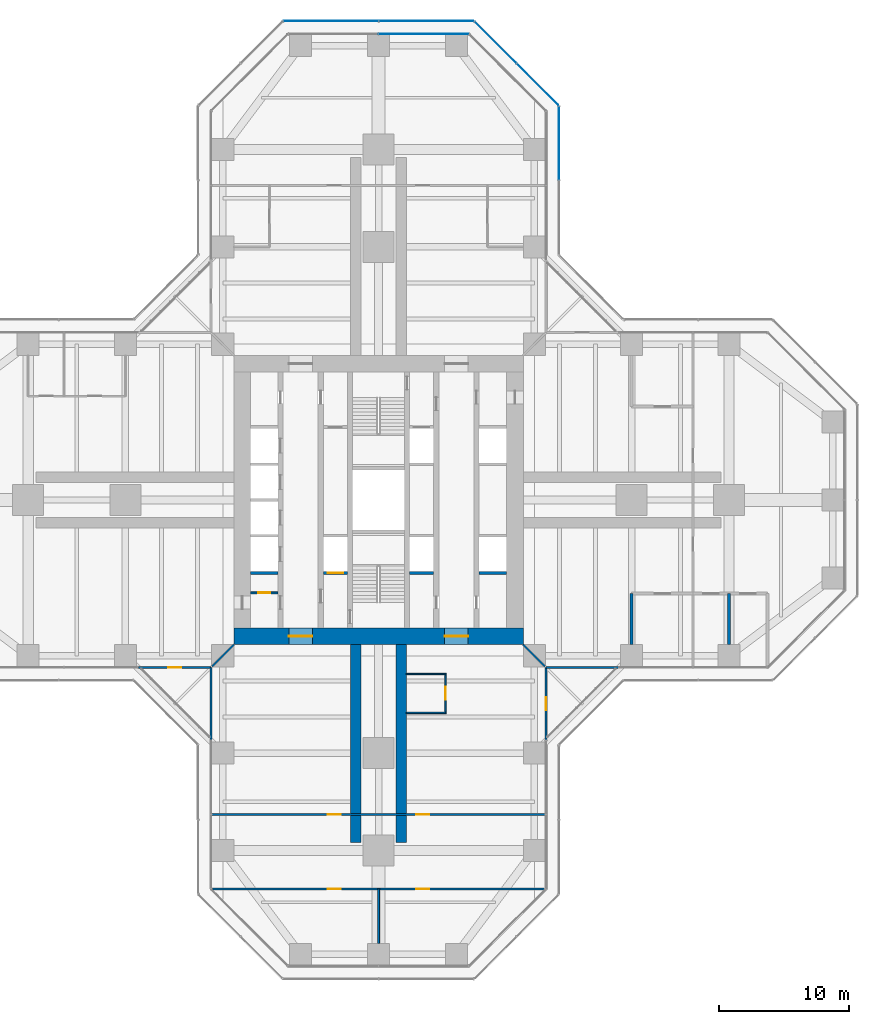
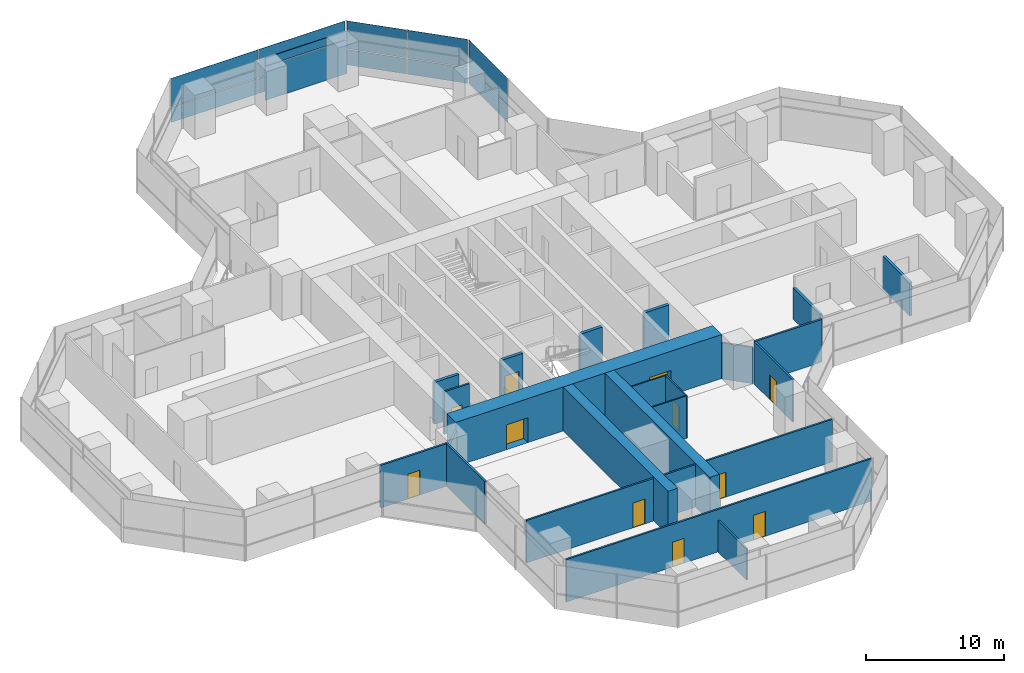
# One storey, part 17 of 22: 22 walls, 12 plates, 11 doors, 11 openings, 4 elements without a shape of their own.
"""IFC4 building model written with IfcOpenShell, lengths in metres."""

from ifc_helpers import new_model, si_unit, direction, frame, frame_2d, origin, origin_2d, place, context, subcontext, project, spatial, rectangle, extrude, material, layer, layer_set, type_object, element, fill, aggregate, save


model = new_model("IFC4")

# Units and contexts
model_context = context("Model", 3, precision=1e-05, world=origin(), true_north=direction((0.0, 1.0)))
body_context = subcontext(model_context, "Body", "Model", "MODEL_VIEW")
ifc_project = project(units=[si_unit("LENGTHUNIT", "METRE"), si_unit("AREAUNIT", "SQUARE_METRE"), si_unit("VOLUMEUNIT", "CUBIC_METRE"), si_unit("PLANEANGLEUNIT", "RADIAN"), si_unit("MASSUNIT", "GRAM", prefix="KILO")], contexts=[model_context])

# Site, building, storey
site_placement = place(None, origin())
site = spatial("IfcSite", under=ifc_project, at=site_placement, CompositionType="ELEMENT")
building_placement = place(site_placement, origin())
building = spatial("IfcBuilding", under=site, at=building_placement, Name="Mizan Broadcast Tower", CompositionType="ELEMENT")
storey_placement = place(building_placement, frame((0.0, 0.0, 78.60009765625)))
storey = spatial("IfcBuildingStorey", under=building, at=storey_placement, Name="L16", CompositionType="ELEMENT", Elevation=78.60009765625)

# Curtain wall, plates
ifc_material_1 = material(Name="Aluminium framed glazing", Category="aluminium")
curtain_wall_type_1 = type_object("IfcCurtainWallType", Name="INNER SKIN LOW ZONE", PredefinedType="USERDEFINED", material=ifc_material_1)
curtain_wall_1_placement = place(storey_placement, origin())
curtain_wall_1 = element("IfcCurtainWall", 1, at=curtain_wall_1_placement, inside=storey, type_object=curtain_wall_type_1, Name="Inner skin low zone L16 N end", ObjectType="INNER SKIN LOW ZONE", PredefinedType="USERDEFINED")
ifc_material_2 = material(Name="Double glazing, clear low-e", Category="glass")
ifc_layer_1 = layer(ifc_material_2, 0.028076171875)
ifc_layer_set_1 = layer_set([ifc_layer_1], Name="Double glazing, clear low-e")
plate_type_1 = type_object("IfcPlateType", Name="INNER SKIN GLAZING UNIT", PredefinedType="CURTAIN_PANEL", material=ifc_layer_set_1)
plate_1_placement = place(storey_placement, frame((3.46435546875, 35.89990234375, 0.0), z_axis=(0.0, 0.0, 1.0), x_axis=(-1.0, 0.0, 0.0)))
plate_1 = element("IfcPlate", 2, at=plate_1_placement, type_object=plate_type_1, Name="Inner skin low zone L16 N end panel 1.1", PredefinedType="CURTAIN_PANEL", context=body_context, shape_type="SweptSolid", body=[
    extrude(rectangle(XDim=6.86865234375, YDim=0.028076171875, at=origin_2d()), origin(), (0.0, 0.0, 1.0), 3.0),
])
ifc_material_3 = material(Name="Insulated aluminium spandrel panel, pale anodised", Category="aluminium")
ifc_layer_2 = layer(ifc_material_3, 0.050048828125)
ifc_layer_set_2 = layer_set([ifc_layer_2], Name="Insulated aluminium spandrel panel, pale anodised")
plate_type_2 = type_object("IfcPlateType", Name="INNER SKIN SPANDREL PANEL", PredefinedType="CURTAIN_PANEL", material=ifc_layer_set_2)
plate_2_placement = place(storey_placement, frame((3.46435546875, 35.89990234375, 3.059814453125), z_axis=(0.0, 0.0, 1.0), x_axis=(-1.0, 0.0, 0.0)))
plate_2 = element("IfcPlate", 3, at=plate_2_placement, type_object=plate_type_2, Name="Inner skin low zone L16 N end panel 1.2", PredefinedType="CURTAIN_PANEL", context=body_context, shape_type="SweptSolid", body=[
    extrude(rectangle(XDim=6.86865234375, YDim=0.050048828125, at=origin_2d()), origin(), (0.0, 0.0, 1.0), 0.7099609375),
])
aggregate(curtain_wall_1, [plate_1, plate_2])

ifc_material_4 = material(Name="Aluminium framed glazing", Category="aluminium")
curtain_wall_type_2 = type_object("IfcCurtainWallType", Name="OUTER SKIN", PredefinedType="USERDEFINED", material=ifc_material_4)
curtain_wall_2_placement = place(storey_placement, origin())
curtain_wall_2 = element("IfcCurtainWall", 4, at=curtain_wall_2_placement, inside=storey, type_object=curtain_wall_type_2, Name="Outer skin L16 N chamfer", ObjectType="OUTER SKIN", PredefinedType="USERDEFINED")
ifc_material_5 = material(Name="Laminated clear glass", Category="glass")
ifc_layer_3 = layer(ifc_material_5, 0.02001953125)
ifc_layer_set_3 = layer_set([ifc_layer_3], Name="Laminated clear glass")
plate_type_3 = type_object("IfcPlateType", Name="OUTER SKIN CLEAR GLASS", PredefinedType="CURTAIN_PANEL", material=ifc_layer_set_3)
plate_3_placement = place(storey_placement, frame((12.254150390625, 32.018798828125, -0.000244140625), z_axis=(0.0, 0.0, 1.0), x_axis=(-0.707106781187, 0.707106781187, 0.0)))
plate_3 = element("IfcPlate", 5, at=plate_3_placement, type_object=plate_type_3, Name="Outer skin L16 N chamfer panel 1.1", PredefinedType="CURTAIN_PANEL", context=body_context, shape_type="SweptSolid", body=[
    extrude(rectangle(XDim=4.495361328125, YDim=0.02001953125, at=origin_2d()), origin(), (0.0, 0.0, 1.0), 1.3701171875),
])
plate_4_placement = place(storey_placement, frame((12.254150390625, 32.018798828125, 1.4296875), z_axis=(0.0, 0.0, 1.0), x_axis=(-0.707106781187, 0.707106781187, 0.0)))
plate_4 = element("IfcPlate", 6, at=plate_4_placement, type_object=plate_type_3, Name="Outer skin L16 N chamfer panel 1.2", PredefinedType="CURTAIN_PANEL", context=body_context, shape_type="SweptSolid", body=[
    extrude(rectangle(XDim=4.495361328125, YDim=0.02001953125, at=origin_2d()), origin(), (0.0, 0.0, 1.0), 2.469970703125),
])

curtain_wall_3_placement = place(storey_placement, origin())
curtain_wall_3 = element("IfcCurtainWall", 7, at=curtain_wall_3_placement, inside=storey, type_object=curtain_wall_type_2, Name="Outer skin L16 N end", ObjectType="OUTER SKIN", PredefinedType="USERDEFINED")
plate_5_placement = place(storey_placement, frame((3.66650390625, 36.89990234375, -0.000244140625), z_axis=(0.0, 0.0, 1.0), x_axis=(-1.0, 0.0, 0.0)))
plate_5 = element("IfcPlate", 8, at=plate_5_placement, type_object=plate_type_3, Name="Outer skin L16 N end panel 1.1", PredefinedType="CURTAIN_PANEL", context=body_context, shape_type="SweptSolid", body=[
    extrude(rectangle(XDim=7.252685546875, YDim=0.02001953125, at=origin_2d()), origin(), (0.0, 0.0, 1.0), 1.3701171875),
])
plate_6_placement = place(storey_placement, frame((3.66650390625, 36.89990234375, 1.4296875), z_axis=(0.0, 0.0, 1.0), x_axis=(-1.0, 0.0, 0.0)))
plate_6 = element("IfcPlate", 9, at=plate_6_placement, type_object=plate_type_3, Name="Outer skin L16 N end panel 1.2", PredefinedType="CURTAIN_PANEL", context=body_context, shape_type="SweptSolid", body=[
    extrude(rectangle(XDim=7.252685546875, YDim=0.02001953125, at=origin_2d()), origin(), (0.0, 0.0, 1.0), 2.469970703125),
])
plate_7_placement = place(storey_placement, frame((-3.66650390625, 36.89990234375, -0.000244140625), z_axis=(0.0, 0.0, 1.0), x_axis=(-1.0, 0.0, 0.0)))
plate_7 = element("IfcPlate", 10, at=plate_7_placement, type_object=plate_type_3, Name="Outer skin L16 N end panel 2.1", PredefinedType="CURTAIN_PANEL", context=body_context, shape_type="SweptSolid", body=[
    extrude(rectangle(XDim=7.252685546875, YDim=0.02001953125, at=origin_2d()), origin(), (0.0, 0.0, 1.0), 1.3701171875),
])
plate_8_placement = place(storey_placement, frame((-3.66650390625, 36.89990234375, 1.4296875), z_axis=(0.0, 0.0, 1.0), x_axis=(-1.0, 0.0, 0.0)))
plate_8 = element("IfcPlate", 11, at=plate_8_placement, type_object=plate_type_3, Name="Outer skin L16 N end panel 2.2", PredefinedType="CURTAIN_PANEL", context=body_context, shape_type="SweptSolid", body=[
    extrude(rectangle(XDim=7.252685546875, YDim=0.02001953125, at=origin_2d()), origin(), (0.0, 0.0, 1.0), 2.469970703125),
])
aggregate(curtain_wall_3, [plate_5, plate_6, plate_7, plate_8])

curtain_wall_4_placement = place(storey_placement, origin())
curtain_wall_4 = element("IfcCurtainWall", 12, at=curtain_wall_4_placement, inside=storey, type_object=curtain_wall_type_2, Name="Outer skin L16 N side", ObjectType="OUTER SKIN", PredefinedType="USERDEFINED")
ifc_material_6 = material(Name="Perforated aluminium, pale anodised", Category="aluminium")
ifc_layer_4 = layer(ifc_material_6, 0.011962890625)
ifc_layer_set_4 = layer_set([ifc_layer_4], Name="Perforated aluminium, pale anodised")
plate_type_4 = type_object("IfcPlateType", Name="OUTER SKIN PERFORATED SCREEN", PredefinedType="USERDEFINED", material=ifc_layer_set_4)
plate_9_placement = place(storey_placement, frame((13.89990234375, 27.477783203125, -0.000244140625), z_axis=(0.0, 0.0, 1.0), x_axis=(0.0, 1.0, 0.0)))
plate_9 = element("IfcPlate", 13, at=plate_9_placement, type_object=plate_type_4, Name="Outer skin L16 N side panel 2.1", ObjectType="SCREEN", PredefinedType="USERDEFINED", context=body_context, shape_type="SweptSolid", body=[
    extrude(rectangle(XDim=5.6298828125, YDim=0.011962890625, at=origin_2d()), origin(), (0.0, 0.0, 1.0), 1.3701171875),
])
plate_10_placement = place(storey_placement, frame((13.89990234375, 27.477783203125, 1.4296875), z_axis=(0.0, 0.0, 1.0), x_axis=(0.0, 1.0, 0.0)))
plate_10 = element("IfcPlate", 14, at=plate_10_placement, type_object=plate_type_4, Name="Outer skin L16 N side panel 2.2", ObjectType="SCREEN", PredefinedType="USERDEFINED", context=body_context, shape_type="SweptSolid", body=[
    extrude(rectangle(XDim=5.6298828125, YDim=0.011962890625, at=origin_2d()), origin(), (0.0, 0.0, 1.0), 2.469970703125),
])
aggregate(curtain_wall_4, [plate_9, plate_10])

# Plate
plate_11_placement = place(storey_placement, frame((9.018798828125, 35.254150390625, -0.000244140625), z_axis=(0.0, 0.0, 1.0), x_axis=(-0.707106781187, 0.707106781187, 0.0)))
plate_11 = element("IfcPlate", 15, at=plate_11_placement, type_object=plate_type_4, Name="Outer skin L16 N chamfer panel 2.1", ObjectType="SCREEN", PredefinedType="USERDEFINED", context=body_context, shape_type="SweptSolid", body=[
    extrude(rectangle(XDim=4.495361328125, YDim=0.011962890625, at=origin_2d()), origin(), (0.0, 0.0, 1.0), 1.3701171875),
])

plate_12_placement = place(storey_placement, frame((9.018798828125, 35.254150390625, 1.4296875), z_axis=(0.0, 0.0, 1.0), x_axis=(-0.707106781187, 0.707106781187, 0.0)))
plate_12 = element("IfcPlate", 16, at=plate_12_placement, type_object=plate_type_4, Name="Outer skin L16 N chamfer panel 2.2", ObjectType="SCREEN", PredefinedType="USERDEFINED", context=body_context, shape_type="SweptSolid", body=[
    extrude(rectangle(XDim=4.495361328125, YDim=0.011962890625, at=origin_2d()), origin(), (0.0, 0.0, 1.0), 2.469970703125),
])

aggregate(curtain_wall_2, [plate_3, plate_4, plate_11, plate_12])

# Wall, opening, door
ifc_material_7 = material(Name="Concrete blockwork", Category="masonry")
ifc_layer_5 = layer(ifc_material_7, 0.14990234375)
ifc_layer_set_5 = layer_set([ifc_layer_5], Name="Concrete blockwork")
wall_type_1 = type_object("IfcWallType", Name="CORE PARTITION 150", PredefinedType="SOLIDWALL", material=ifc_layer_set_5)
wall_1_placement = place(storey_placement, frame((-9.85009765625, -7.14990234375, 0.0), z_axis=(0.0, 0.0, 1.0), x_axis=(1.0, 0.0, 0.0)))
wall_1 = element("IfcWall", 17, at=wall_1_placement, inside=storey, type_object=wall_type_1, Name="Core partition CORE/XPW", PredefinedType="SOLIDWALL", context=body_context, shape_type="SweptSolid", body=[
    extrude(rectangle(XDim=2.10009765625, YDim=0.14990234375, at=frame_2d((1.050048828125, 0.0))), origin(), (0.0, 0.0, 1.0), 3.77001953125),
])
opening_1_placement = place(wall_1_placement, frame((0.60009765625, 0.0, 0.0)))
opening_1 = element("IfcOpeningElement", 18, at=opening_1_placement, cuts=wall_1, Name="Opening D09F", PredefinedType="OPENING", context=body_context, shape_type="SweptSolid", body=[
    extrude(rectangle(XDim=0.89990234375, YDim=2.10009765625, at=frame_2d((0.449951171875, 1.050048828125))), frame((0.0, 0.0849609375, 0.0), z_axis=(0.0, -1.0, 0.0), x_axis=(1.0, 0.0, 0.0)), (0.0, 0.0, 1.0), 0.169921875),
])
ifc_material_8 = material(Name="Steel door leaf in steel frame", Category="steel")
door_type_1 = type_object("IfcDoorType", Name="CORE ROOM DOOR 900 FD90", OperationType="SINGLE_SWING_LEFT", PredefinedType="DOOR", material=ifc_material_8)
door_1_placement = place(opening_1_placement, origin())
door_1 = element("IfcDoor", 19, at=door_1_placement, inside=storey, type_object=door_type_1, Name="Comms cupboard door", OperationType="SINGLE_SWING_RIGHT", OverallHeight=2.10009765625, OverallWidth=0.89990234375, PredefinedType="DOOR", context=body_context, shape_type="SweptSolid", body=[
    extrude(rectangle(XDim=0.89990234375, YDim=2.10009765625, at=frame_2d((0.449951171875, 1.050048828125))), frame((0.0, 0.02490234375, 0.0), z_axis=(0.0, -1.0, 0.0), x_axis=(1.0, 0.0, 0.0)), (0.0, 0.0, 1.0), 0.050048828125),
])
fill(opening_1, door_1)

# Wall, openings, doors
ifc_material_9 = material(Name="Concrete C70/85", Category="concrete")
ifc_layer_6 = layer(ifc_material_9, 1.300048828125)
ifc_layer_set_6 = layer_set([ifc_layer_6], Name="Concrete C70/85")
wall_type_2 = type_object("IfcWallType", Name="CORE WALL 1300", PredefinedType="SHEAR", material=ifc_layer_set_6)
wall_2_placement = place(storey_placement, frame((11.14990234375, -10.5, 0.0), z_axis=(0.0, 0.0, 1.0), x_axis=(-1.0, 0.0, 0.0)))
wall_2 = element("IfcWall", 20, at=wall_2_placement, inside=storey, type_object=wall_type_2, Name="Core wall S L16", PredefinedType="SHEAR", context=body_context, shape_type="SweptSolid", body=[
    extrude(rectangle(XDim=22.2998046875, YDim=1.300048828125, at=frame_2d((11.14990234375, 0.0))), origin(), (0.0, 0.0, 1.0), 3.89990234375),
])
opening_2_placement = place(wall_2_placement, frame((16.25, 0.0, 0.0)))
opening_2 = element("IfcOpeningElement", 21, at=opening_2_placement, cuts=wall_2, Name="Opening D18F", PredefinedType="OPENING", context=body_context, shape_type="SweptSolid", body=[
    extrude(rectangle(XDim=1.800048828125, YDim=2.199951171875, at=frame_2d((0.89990234375, 1.10009765625))), frame((0.0, 0.659912109375, 0.0), z_axis=(0.0, -1.0, 0.0), x_axis=(1.0, 0.0, 0.0)), (0.0, 0.0, 1.0), 1.320068359375),
])
opening_3_placement = place(wall_2_placement, frame((4.25, 0.0, 0.0)))
opening_3 = element("IfcOpeningElement", 22, at=opening_3_placement, cuts=wall_2, Name="Opening D18F", PredefinedType="OPENING", context=body_context, shape_type="SweptSolid", body=[
    extrude(rectangle(XDim=1.800048828125, YDim=2.199951171875, at=frame_2d((0.89990234375, 1.10009765625))), frame((0.0, 0.659912109375, 0.0), z_axis=(0.0, -1.0, 0.0), x_axis=(1.0, 0.0, 0.0)), (0.0, 0.0, 1.0), 1.320068359375),
])
ifc_material_10 = material(Name="Steel door leaf in steel frame", Category="steel")
door_type_2 = type_object("IfcDoorType", Name="LOBBY DOUBLE DOOR 1800 FD90", OperationType="DOUBLE_DOOR_DOUBLE_SWING", PredefinedType="DOOR", material=ifc_material_10)
door_2_placement = place(opening_2_placement, origin())
door_2 = element("IfcDoor", 23, at=door_2_placement, inside=storey, type_object=door_type_2, Name="West lift lobby south door", OperationType="DOUBLE_DOOR_DOUBLE_SWING", OverallHeight=2.199951171875, OverallWidth=1.800048828125, PredefinedType="DOOR", context=body_context, shape_type="SweptSolid", body=[
    extrude(rectangle(XDim=1.800048828125, YDim=2.199951171875, at=frame_2d((0.89990234375, 1.10009765625))), frame((0.0, 0.02490234375, 0.0), z_axis=(0.0, -1.0, 0.0), x_axis=(1.0, 0.0, 0.0)), (0.0, 0.0, 1.0), 0.050048828125),
])
fill(opening_2, door_2)
door_3_placement = place(opening_3_placement, origin())
door_3 = element("IfcDoor", 24, at=door_3_placement, inside=storey, type_object=door_type_2, Name="East lift lobby south door", OperationType="DOUBLE_DOOR_DOUBLE_SWING", OverallHeight=2.199951171875, OverallWidth=1.800048828125, PredefinedType="DOOR", context=body_context, shape_type="SweptSolid", body=[
    extrude(rectangle(XDim=1.800048828125, YDim=2.199951171875, at=frame_2d((0.89990234375, 1.10009765625))), frame((0.0, 0.02490234375, 0.0), z_axis=(0.0, -1.0, 0.0), x_axis=(1.0, 0.0, 0.0)), (0.0, 0.0, 1.0), 0.050048828125),
])
fill(opening_3, door_3)

# Wall
ifc_material_11 = material(Name="Aluminium framed glazed screen", Category="aluminium")
ifc_layer_7 = layer(ifc_material_11, 0.159912109375)
ifc_layer_set_7 = layer_set([ifc_layer_7], Name="Aluminium framed glazed screen")
wall_type_3 = type_object("IfcWallType", Name="GLAZED SCREEN WALL 160", PredefinedType="SOLIDWALL", material=ifc_layer_set_7)
wall_3_placement = place(storey_placement, frame((12.89990234375, -12.89990234375, 0.0), z_axis=(0.0, 0.0, 1.0), x_axis=(1.0, 0.0, 0.0)))
element("IfcWall", 25, at=wall_3_placement, inside=storey, type_object=wall_type_3, Name="Winter garden screen L16 E", PredefinedType="SOLIDWALL", context=body_context, shape_type="SweptSolid", body=[
    extrude(rectangle(XDim=5.60009765625, YDim=0.159912109375, at=frame_2d((2.800048828125, 0.0))), origin(), (0.0, 0.0, 1.0), 3.77001953125),
])

# Wall, opening, door
wall_4_placement = place(storey_placement, frame((-18.5, -12.89990234375, 0.0), z_axis=(0.0, 0.0, 1.0), x_axis=(1.0, 0.0, 0.0)))
wall_4 = element("IfcWall", 26, at=wall_4_placement, inside=storey, type_object=wall_type_3, Name="Winter garden screen L16 W", PredefinedType="SOLIDWALL", context=body_context, shape_type="SweptSolid", body=[
    extrude(rectangle(XDim=5.60009765625, YDim=0.159912109375, at=frame_2d((2.800048828125, 0.0))), origin(), (0.0, 0.0, 1.0), 3.77001953125),
])
opening_4_placement = place(wall_4_placement, frame((2.300048828125, 0.0, 0.0)))
opening_4 = element("IfcOpeningElement", 27, at=opening_4_placement, cuts=wall_4, Name="Opening WGD", PredefinedType="OPENING", context=body_context, shape_type="SweptSolid", body=[
    extrude(rectangle(XDim=1.0, YDim=2.199951171875, at=frame_2d((0.5, 1.10009765625))), frame((0.0, 0.08984375, 0.0), z_axis=(0.0, -1.0, 0.0), x_axis=(1.0, 0.0, 0.0)), (0.0, 0.0, 1.0), 0.179931640625),
])
ifc_material_12 = material(Name="Aluminium framed glazed door", Category="aluminium")
door_type_3 = type_object("IfcDoorType", Name="WINTER GARDEN DOOR 1000 GLAZED", OperationType="SINGLE_SWING_LEFT", PredefinedType="DOOR", material=ifc_material_12)
door_4_placement = place(opening_4_placement, origin())
door_4 = element("IfcDoor", 28, at=door_4_placement, inside=storey, type_object=door_type_3, Name="Winter garden door L16 W", OperationType="SINGLE_SWING_RIGHT", OverallHeight=2.199951171875, OverallWidth=1.0, PredefinedType="DOOR", context=body_context, shape_type="SweptSolid", body=[
    extrude(rectangle(XDim=1.0, YDim=2.199951171875, at=frame_2d((0.5, 1.10009765625))), frame((0.0, 0.02490234375, 0.0), z_axis=(0.0, -1.0, 0.0), x_axis=(1.0, 0.0, 0.0)), (0.0, 0.0, 1.0), 0.050048828125),
])
fill(opening_4, door_4)

# Wall
wall_5_placement = place(storey_placement, frame((-12.89990234375, -12.89990234375, 0.0), z_axis=(0.0, 0.0, 1.0), x_axis=(0.0, -1.0, 0.0)))
element("IfcWall", 29, at=wall_5_placement, inside=storey, type_object=wall_type_3, Name="Winter garden screen L16 S", PredefinedType="SOLIDWALL", context=body_context, shape_type="SweptSolid", body=[
    extrude(rectangle(XDim=5.60009765625, YDim=0.159912109375, at=frame_2d((2.800048828125, 0.0))), origin(), (0.0, 0.0, 1.0), 3.77001953125),
])

# Wall, opening, door
wall_6_placement = place(storey_placement, frame((12.89990234375, -18.5, 0.0), z_axis=(0.0, 0.0, 1.0), x_axis=(0.0, 1.0, 0.0)))
wall_6 = element("IfcWall", 30, at=wall_6_placement, inside=storey, type_object=wall_type_3, Name="Winter garden screen L16 S", PredefinedType="SOLIDWALL", context=body_context, shape_type="SweptSolid", body=[
    extrude(rectangle(XDim=5.60009765625, YDim=0.159912109375, at=frame_2d((2.800048828125, 0.0))), origin(), (0.0, 0.0, 1.0), 3.77001953125),
])
opening_5_placement = place(wall_6_placement, frame((2.300048828125, 0.0, 0.0)))
opening_5 = element("IfcOpeningElement", 31, at=opening_5_placement, cuts=wall_6, Name="Opening WGD", PredefinedType="OPENING", context=body_context, shape_type="SweptSolid", body=[
    extrude(rectangle(XDim=1.0, YDim=2.199951171875, at=frame_2d((0.5, 1.10009765625))), frame((0.0, 0.08984375, 0.0), z_axis=(0.0, -1.0, 0.0), x_axis=(1.0, 0.0, 0.0)), (0.0, 0.0, 1.0), 0.179931640625),
])
door_5_placement = place(opening_5_placement, origin())
door_5 = element("IfcDoor", 32, at=door_5_placement, inside=storey, type_object=door_type_3, Name="Winter garden door L16 S", OperationType="SINGLE_SWING_RIGHT", OverallHeight=2.199951171875, OverallWidth=1.0, PredefinedType="DOOR", context=body_context, shape_type="SweptSolid", body=[
    extrude(rectangle(XDim=1.0, YDim=2.199951171875, at=frame_2d((0.5, 1.10009765625))), frame((0.0, 0.02490234375, 0.0), z_axis=(0.0, -1.0, 0.0), x_axis=(1.0, 0.0, 0.0)), (0.0, 0.0, 1.0), 0.050048828125),
])
fill(opening_5, door_5)

# Wall
ifc_material_13 = material(Name="Concrete blockwork", Category="masonry")
ifc_layer_8 = layer(ifc_material_13, 0.25)
ifc_layer_set_8 = layer_set([ifc_layer_8], Name="Concrete blockwork")
wall_type_4 = type_object("IfcWallType", Name="LOBBY ENCLOSURE WALL 250", PredefinedType="SOLIDWALL", material=ifc_layer_set_8)
wall_7_placement = place(storey_placement, frame((-9.85009765625, -5.625, 0.0), z_axis=(0.0, 0.0, 1.0), x_axis=(1.0, 0.0, 0.0)))
element("IfcWall", 33, at=wall_7_placement, inside=storey, type_object=wall_type_4, Name="Lobby enclosure wall CORE/BW1S", PredefinedType="SOLIDWALL", context=body_context, shape_type="SweptSolid", body=[
    extrude(rectangle(XDim=2.10009765625, YDim=0.25, at=frame_2d((1.050048828125, 0.0))), origin(), (0.0, 0.0, 1.0), 3.699951171875),
])

# Wall, opening, door
wall_8_placement = place(storey_placement, frame((-4.25, -5.625, 0.0), z_axis=(0.0, 0.0, 1.0), x_axis=(1.0, 0.0, 0.0)))
wall_8 = element("IfcWall", 34, at=wall_8_placement, inside=storey, type_object=wall_type_4, Name="Lobby enclosure wall CORE/BW2S", PredefinedType="SOLIDWALL", context=body_context, shape_type="SweptSolid", body=[
    extrude(rectangle(XDim=1.85009765625, YDim=0.25, at=frame_2d((0.925048828125, 0.0))), origin(), (0.0, 0.0, 1.0), 3.699951171875),
])
opening_6_placement = place(wall_8_placement, frame((0.324951171875, 0.0, 0.0)))
opening_6 = element("IfcOpeningElement", 35, at=opening_6_placement, cuts=wall_8, Name="Opening LDF", PredefinedType="OPENING", context=body_context, shape_type="SweptSolid", body=[
    extrude(rectangle(XDim=1.199951171875, YDim=2.199951171875, at=frame_2d((0.60009765625, 1.10009765625))), frame((0.0, 0.135009765625, 0.0), z_axis=(0.0, -1.0, 0.0), x_axis=(1.0, 0.0, 0.0)), (0.0, 0.0, 1.0), 0.27001953125),
])
ifc_material_14 = material(Name="Steel door leaf in steel frame", Category="steel")
door_type_4 = type_object("IfcDoorType", Name="FIREFIGHTING LIFT LANDING DOOR 1200", OperationType="SLIDING_TO_LEFT", PredefinedType="DOOR", material=ifc_material_14)
door_6_placement = place(opening_6_placement, origin())
door_6 = element("IfcDoor", 36, at=door_6_placement, inside=storey, type_object=door_type_4, Name="Landing door FF1", OperationType="SLIDING_TO_LEFT", OverallHeight=2.199951171875, OverallWidth=1.199951171875, PredefinedType="DOOR", context=body_context, shape_type="SweptSolid", body=[
    extrude(rectangle(XDim=1.199951171875, YDim=2.199951171875, at=frame_2d((0.60009765625, 1.10009765625))), frame((0.0, 0.02490234375, 0.0), z_axis=(0.0, -1.0, 0.0), x_axis=(1.0, 0.0, 0.0)), (0.0, 0.0, 1.0), 0.050048828125),
])
fill(opening_6, door_6)

# Walls
wall_9_placement = place(storey_placement, frame((2.39990234375, -5.625, 0.0), z_axis=(0.0, 0.0, 1.0), x_axis=(1.0, 0.0, 0.0)))
element("IfcWall", 37, at=wall_9_placement, inside=storey, type_object=wall_type_4, Name="Lobby enclosure wall CORE/BE2S", PredefinedType="SOLIDWALL", context=body_context, shape_type="SweptSolid", body=[
    extrude(rectangle(XDim=1.85009765625, YDim=0.25, at=frame_2d((0.925048828125, 0.0))), origin(), (0.0, 0.0, 1.0), 3.699951171875),
])
wall_10_placement = place(storey_placement, frame((7.75, -5.625, 0.0), z_axis=(0.0, 0.0, 1.0), x_axis=(1.0, 0.0, 0.0)))
element("IfcWall", 38, at=wall_10_placement, inside=storey, type_object=wall_type_4, Name="Lobby enclosure wall CORE/BE1S", PredefinedType="SOLIDWALL", context=body_context, shape_type="SweptSolid", body=[
    extrude(rectangle(XDim=2.10009765625, YDim=0.25, at=frame_2d((1.050048828125, 0.0))), origin(), (0.0, 0.0, 1.0), 3.699951171875),
])

# Wall, openings, doors
ifc_material_15 = material(Name="Gypsum board on steel studs", Category="steel")
ifc_layer_9 = layer(ifc_material_15, 0.14990234375)
ifc_layer_set_9 = layer_set([ifc_layer_9], Name="Gypsum board on steel studs")
wall_type_5 = type_object("IfcWallType", Name="PARTITION 150", PredefinedType="PARTITIONING", material=ifc_layer_set_9)
wall_11_placement = place(storey_placement, frame((-12.820068359375, -24.22900390625, 0.0), z_axis=(0.0, 0.0, 1.0), x_axis=(1.0, 0.0, 0.0)))
wall_11 = element("IfcWall", 39, at=wall_11_placement, inside=storey, type_object=wall_type_5, Name="Partition PT/SX1", PredefinedType="PARTITIONING", context=body_context, shape_type="SweptSolid", body=[
    extrude(rectangle(XDim=25.64013671875, YDim=0.14990234375, at=frame_2d((12.820068359375, 0.0))), origin(), (0.0, 0.0, 1.0), 3.77001953125),
])
opening_7_placement = place(wall_11_placement, frame((15.719970703125, 0.0, 0.0)))
opening_7 = element("IfcOpeningElement", 40, at=opening_7_placement, cuts=wall_11, Name="Opening D10", PredefinedType="OPENING", context=body_context, shape_type="SweptSolid", body=[
    extrude(rectangle(XDim=1.0, YDim=2.199951171875, at=frame_2d((0.5, 1.10009765625))), frame((0.0, 0.0849609375, 0.0), z_axis=(0.0, -1.0, 0.0), x_axis=(1.0, 0.0, 0.0)), (0.0, 0.0, 1.0), 0.169921875),
])
opening_8_placement = place(wall_11_placement, frame((8.919921875, 0.0, 0.0)))
opening_8 = element("IfcOpeningElement", 41, at=opening_8_placement, cuts=wall_11, Name="Opening D10", PredefinedType="OPENING", context=body_context, shape_type="SweptSolid", body=[
    extrude(rectangle(XDim=1.0, YDim=2.199951171875, at=frame_2d((0.5, 1.10009765625))), frame((0.0, 0.0849609375, 0.0), z_axis=(0.0, -1.0, 0.0), x_axis=(1.0, 0.0, 0.0)), (0.0, 0.0, 1.0), 0.169921875),
])
ifc_material_16 = material(Name="Timber door leaf in aluminium frame", Category="wood")
door_type_5 = type_object("IfcDoorType", Name="ROOM DOOR 1000", OperationType="SINGLE_SWING_LEFT", PredefinedType="DOOR", material=ifc_material_16)
door_7_placement = place(opening_7_placement, origin())
door_7 = element("IfcDoor", 42, at=door_7_placement, inside=storey, type_object=door_type_5, Name="Open office door", OperationType="SINGLE_SWING_RIGHT", OverallHeight=2.199951171875, OverallWidth=1.0, PredefinedType="DOOR", context=body_context, shape_type="SweptSolid", body=[
    extrude(rectangle(XDim=1.0, YDim=2.199951171875, at=frame_2d((0.5, 1.10009765625))), frame((0.0, 0.02490234375, 0.0), z_axis=(0.0, -1.0, 0.0), x_axis=(1.0, 0.0, 0.0)), (0.0, 0.0, 1.0), 0.050048828125),
])
fill(opening_7, door_7)
door_8_placement = place(opening_8_placement, origin())
door_8 = element("IfcDoor", 43, at=door_8_placement, inside=storey, type_object=door_type_5, Name="Open office door", OperationType="SINGLE_SWING_LEFT", OverallHeight=2.199951171875, OverallWidth=1.0, PredefinedType="DOOR", context=body_context, shape_type="SweptSolid", body=[
    extrude(rectangle(XDim=1.0, YDim=2.199951171875, at=frame_2d((0.5, 1.10009765625))), frame((0.0, 0.02490234375, 0.0), z_axis=(0.0, -1.0, 0.0), x_axis=(1.0, 0.0, 0.0)), (0.0, 0.0, 1.0), 0.050048828125),
])
fill(opening_8, door_8)

wall_12_placement = place(storey_placement, frame((-12.786376953125, -29.958984375, 0.0), z_axis=(0.0, 0.0, 1.0), x_axis=(1.0, 0.0, 0.0)))
wall_12 = element("IfcWall", 44, at=wall_12_placement, inside=storey, type_object=wall_type_5, Name="Partition PT/SX2", PredefinedType="PARTITIONING", context=body_context, shape_type="SweptSolid", body=[
    extrude(rectangle(XDim=25.57275390625, YDim=0.14990234375, at=frame_2d((12.786376953125, 0.0))), origin(), (0.0, 0.0, 1.0), 3.77001953125),
])
opening_9_placement = place(wall_12_placement, frame((15.6865234375, 0.0, 0.0)))
opening_9 = element("IfcOpeningElement", 45, at=opening_9_placement, cuts=wall_12, Name="Opening D10", PredefinedType="OPENING", context=body_context, shape_type="SweptSolid", body=[
    extrude(rectangle(XDim=1.0, YDim=2.199951171875, at=frame_2d((0.5, 1.10009765625))), frame((0.0, 0.0849609375, 0.0), z_axis=(0.0, -1.0, 0.0), x_axis=(1.0, 0.0, 0.0)), (0.0, 0.0, 1.0), 0.169921875),
])
opening_10_placement = place(wall_12_placement, frame((8.886474609375, 0.0, 0.0)))
opening_10 = element("IfcOpeningElement", 46, at=opening_10_placement, cuts=wall_12, Name="Opening D10", PredefinedType="OPENING", context=body_context, shape_type="SweptSolid", body=[
    extrude(rectangle(XDim=1.0, YDim=2.199951171875, at=frame_2d((0.5, 1.10009765625))), frame((0.0, 0.0849609375, 0.0), z_axis=(0.0, -1.0, 0.0), x_axis=(1.0, 0.0, 0.0)), (0.0, 0.0, 1.0), 0.169921875),
])
door_9_placement = place(opening_9_placement, origin())
door_9 = element("IfcDoor", 47, at=door_9_placement, inside=storey, type_object=door_type_5, Name="Open office door", OperationType="SINGLE_SWING_RIGHT", OverallHeight=2.199951171875, OverallWidth=1.0, PredefinedType="DOOR", context=body_context, shape_type="SweptSolid", body=[
    extrude(rectangle(XDim=1.0, YDim=2.199951171875, at=frame_2d((0.5, 1.10009765625))), frame((0.0, 0.02490234375, 0.0), z_axis=(0.0, -1.0, 0.0), x_axis=(1.0, 0.0, 0.0)), (0.0, 0.0, 1.0), 0.050048828125),
])
fill(opening_9, door_9)
door_10_placement = place(opening_10_placement, origin())
door_10 = element("IfcDoor", 48, at=door_10_placement, inside=storey, type_object=door_type_5, Name="Open office door", OperationType="SINGLE_SWING_LEFT", OverallHeight=2.199951171875, OverallWidth=1.0, PredefinedType="DOOR", context=body_context, shape_type="SweptSolid", body=[
    extrude(rectangle(XDim=1.0, YDim=2.199951171875, at=frame_2d((0.5, 1.10009765625))), frame((0.0, 0.02490234375, 0.0), z_axis=(0.0, -1.0, 0.0), x_axis=(1.0, 0.0, 0.0)), (0.0, 0.0, 1.0), 0.050048828125),
])
fill(opening_10, door_10)

# Walls
wall_13_placement = place(storey_placement, frame((0.0, -29.958984375, 0.0), z_axis=(0.0, 0.0, 1.0), x_axis=(0.0, -1.0, 0.0)))
element("IfcWall", 49, at=wall_13_placement, inside=storey, type_object=wall_type_5, Name="Partition PT/SES", PredefinedType="PARTITIONING", context=body_context, shape_type="SweptSolid", body=[
    extrude(rectangle(XDim=4.19091796875, YDim=0.14990234375, at=frame_2d((2.095458984375, 0.0))), origin(), (0.0, 0.0, 1.0), 2.77001953125),
])
for number, where, z_axis, x_axis, name in (
    (50, (-11.14990234375, -11.14990234375, 0.0), (0.0, 0.0, 1.0), (-0.707106781187, -0.707106781187, 0.0), "Partition PT/DGWS"),
    (51, (11.14990234375, -11.14990234375, 0.0), (0.0, 0.0, 1.0), (0.707106781187, -0.707106781187, 0.0), "Partition PT/DGES"),
):
    element("IfcWall", number, at=place(storey_placement, frame(where, z_axis=z_axis, x_axis=x_axis)), inside=storey, type_object=wall_type_5, Name=name, PredefinedType="PARTITIONING", context=body_context, shape_type="SweptSolid", body=[
        extrude(rectangle(XDim=2.362060546875, YDim=0.14990234375, at=frame_2d((1.18115234375, 0.0))), origin(), (0.0, 0.0, 1.0), 3.219970703125),
    ])
ifc_material_17 = material(Name="Twin steel stud acoustic partition, four layers of gypsum board", Category="steel")
ifc_layer_10 = layer(ifc_material_17, 0.22509765625)
ifc_layer_set_10 = layer_set([ifc_layer_10], Name="Twin steel stud acoustic partition, four layers of gypsum board")
wall_type_6 = type_object("IfcWallType", Name="PARTITION ACOUSTIC 225", PredefinedType="PARTITIONING", material=ifc_layer_set_10)
wall_14_placement = place(storey_placement, frame((19.5, -7.199951171875, 0.0), z_axis=(0.0, 0.0, 1.0), x_axis=(0.0, -1.0, 0.0)))
element("IfcWall", 52, at=wall_14_placement, inside=storey, type_object=wall_type_6, Name="Acoustic partition PT/EQN1950", PredefinedType="PARTITIONING", context=body_context, shape_type="SweptSolid", body=[
    extrude(rectangle(XDim=3.949951171875, YDim=0.22509765625, at=frame_2d((1.97509765625, 0.0))), origin(), (0.0, 0.0, 1.0), 2.77001953125),
])
wall_15_placement = place(storey_placement, frame((27.0, -7.199951171875, 0.0), z_axis=(0.0, 0.0, 1.0), x_axis=(0.0, -1.0, 0.0)))
element("IfcWall", 53, at=wall_15_placement, inside=storey, type_object=wall_type_6, Name="Acoustic partition PT/EQN2700", PredefinedType="PARTITIONING", context=body_context, shape_type="SweptSolid", body=[
    extrude(rectangle(XDim=3.949951171875, YDim=0.22509765625, at=frame_2d((1.97509765625, 0.0))), origin(), (0.0, 0.0, 1.0), 2.969970703125),
])
ifc_material_18 = material(Name="Glazed aluminium partition on aluminium track", Category="aluminium")
ifc_layer_11 = layer(ifc_material_18, 0.10009765625)
ifc_layer_set_11 = layer_set([ifc_layer_11], Name="Glazed aluminium partition on aluminium track")
wall_type_7 = type_object("IfcWallType", Name="PARTITION GLAZED OFFICE FRONT 100", PredefinedType="PARTITIONING", material=ifc_layer_set_11)
for number, where, z_axis, x_axis, name in (
    (54, (2.14990234375, -13.39990234375, 0.0), (0.0, 0.0, 1.0), (1.0, 0.0, 0.0), "Glazed office front PT/SKP0a"),
    (55, (2.14990234375, -16.39990234375, 0.0), (0.0, 0.0, 1.0), (1.0, 0.0, 0.0), "Glazed office front PT/SKP0b"),
):
    element("IfcWall", number, at=place(storey_placement, frame(where, z_axis=z_axis, x_axis=x_axis)), inside=storey, type_object=wall_type_7, Name=name, PredefinedType="PARTITIONING", context=body_context, shape_type="SweptSolid", body=[
        extrude(rectangle(XDim=3.0, YDim=0.10009765625, at=frame_2d((1.5, 0.0))), origin(), (0.0, 0.0, 1.0), 3.77001953125),
    ])

# Wall, opening, door
wall_16_placement = place(storey_placement, frame((5.14990234375, -13.35009765625, 0.0), z_axis=(0.0, 0.0, 1.0), x_axis=(0.0, -1.0, 0.0)))
wall_16 = element("IfcWall", 56, at=wall_16_placement, inside=storey, type_object=wall_type_7, Name="Glazed office front PT/SKP0f", PredefinedType="PARTITIONING", context=body_context, shape_type="SweptSolid", body=[
    extrude(rectangle(XDim=3.099853515625, YDim=0.10009765625, at=frame_2d((1.5498046875, 0.0))), origin(), (0.0, 0.0, 1.0), 3.77001953125),
])
opening_11_placement = place(wall_16_placement, frame((1.050048828125, 0.0, 0.0)))
opening_11 = element("IfcOpeningElement", 57, at=opening_11_placement, cuts=wall_16, Name="Opening D10O", PredefinedType="OPENING", context=body_context, shape_type="SweptSolid", body=[
    extrude(rectangle(XDim=1.0, YDim=2.199951171875, at=frame_2d((0.5, 1.10009765625))), frame((0.0, 0.06005859375, 0.0), z_axis=(0.0, -1.0, 0.0), x_axis=(1.0, 0.0, 0.0)), (0.0, 0.0, 1.0), 0.1201171875),
])
ifc_material_19 = material(Name="Timber door leaf in aluminium frame", Category="wood")
door_type_6 = type_object("IfcDoorType", Name="OFFICE DOOR 1000 GLAZED", OperationType="SINGLE_SWING_LEFT", PredefinedType="DOOR", material=ifc_material_19)
door_11_placement = place(opening_11_placement, origin())
door_11 = element("IfcDoor", 58, at=door_11_placement, inside=storey, type_object=door_type_6, Name="Pantry door", OperationType="SINGLE_SWING_LEFT", OverallHeight=2.199951171875, OverallWidth=1.0, PredefinedType="DOOR", context=body_context, shape_type="SweptSolid", body=[
    extrude(rectangle(XDim=1.0, YDim=2.199951171875, at=frame_2d((0.5, 1.10009765625))), frame((0.0, 0.02490234375, 0.0), z_axis=(0.0, -1.0, 0.0), x_axis=(1.0, 0.0, 0.0)), (0.0, 0.0, 1.0), 0.050048828125),
])
fill(opening_11, door_11)

# Walls
ifc_material_20 = material(Name="Concrete C70/85", Category="concrete")
ifc_layer_12 = layer(ifc_material_20, 0.800048828125)
ifc_layer_set_12 = layer_set([ifc_layer_12], Name="Concrete C70/85")
wall_type_8 = type_object("IfcWallType", Name="SPINE WALL 800", PredefinedType="SHEAR", material=ifc_layer_set_12)
for number, where, z_axis, x_axis, name in (
    (59, (-1.75, -11.14990234375, 0.0), (0.0, 0.0, 1.0), (0.0, -1.0, 0.0), "Spine wall SR L16"),
    (60, (1.75, -11.14990234375, 0.0), (0.0, 0.0, 1.0), (0.0, -1.0, 0.0), "Spine wall SL L16"),
):
    element("IfcWall", number, at=place(storey_placement, frame(where, z_axis=z_axis, x_axis=x_axis)), inside=storey, type_object=wall_type_8, Name=name, PredefinedType="SHEAR", context=body_context, shape_type="SweptSolid", body=[
        extrude(rectangle(XDim=15.25, YDim=0.800048828125, at=frame_2d((7.625, 0.0))), origin(), (0.0, 0.0, 1.0), 3.89990234375),
    ])

save(model, "model.ifc")
